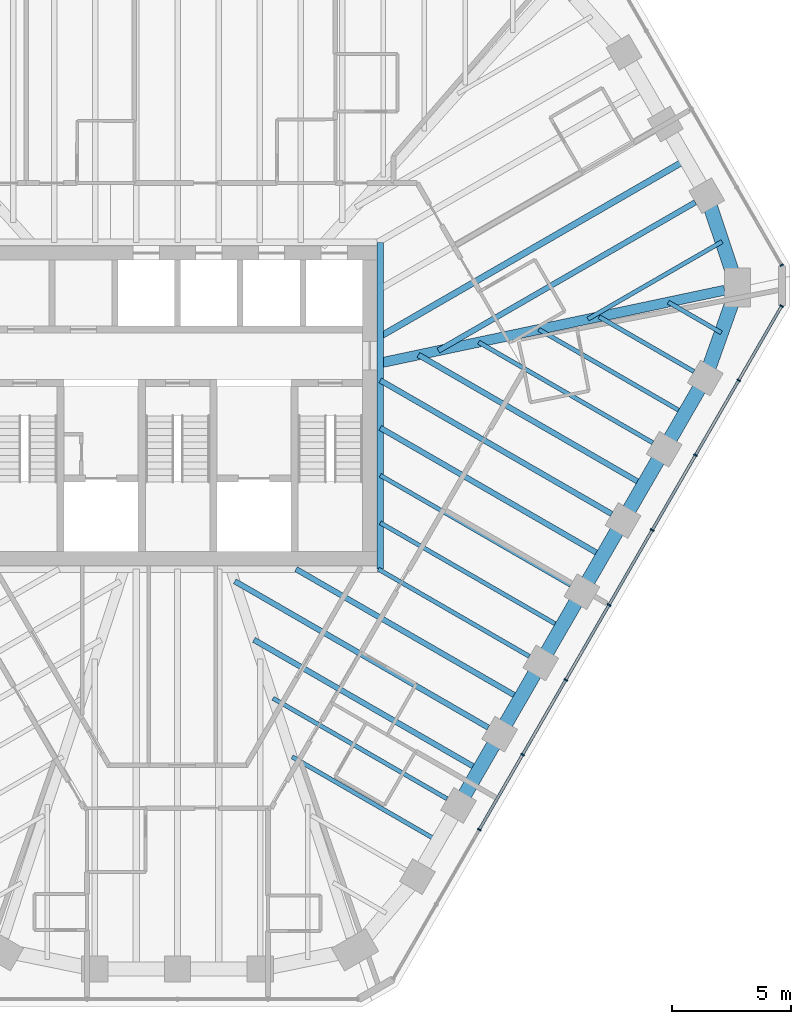
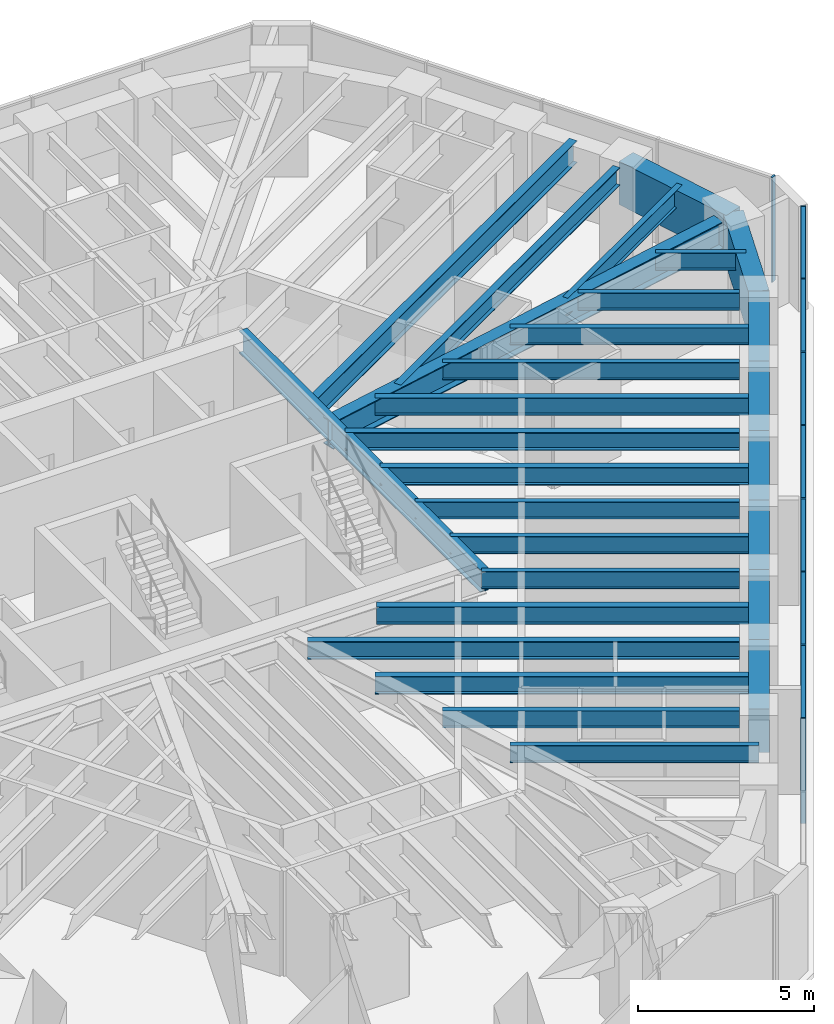
# One storey, part 5 of 14: 28 beams, 16 members, 2 elements without a shape of their own.
"""IFC4 building model written with IfcOpenShell, lengths in metres."""

from ifc_helpers import new_model, si_unit, direction, frame, origin, origin_2d, place, context, subcontext, project, spatial, rectangle, i_section, extrude, material, material_profile, profile_set, type_object, element, aggregate, save


model = new_model("IFC4")

# Units and contexts
model_context = context("Model", 3, precision=1e-05, world=origin(), true_north=direction((0.0, 1.0)))
body_context = subcontext(model_context, "Body", "Model", "MODEL_VIEW")
ifc_project = project(units=[si_unit("LENGTHUNIT", "METRE"), si_unit("AREAUNIT", "SQUARE_METRE"), si_unit("VOLUMEUNIT", "CUBIC_METRE"), si_unit("PLANEANGLEUNIT", "RADIAN"), si_unit("MASSUNIT", "GRAM", prefix="KILO")], contexts=[model_context])

# Site, building, storey
site_placement = place(None, origin())
site = spatial("IfcSite", under=ifc_project, at=site_placement, CompositionType="ELEMENT")
building_placement = place(site_placement, origin())
building = spatial("IfcBuilding", under=site, at=building_placement, Name="Sandreach Pilgrim Tower", CompositionType="ELEMENT")
storey_placement = place(building_placement, frame((0.0, 0.0, 264.60009765625)))
storey = spatial("IfcBuildingStorey", under=building, at=storey_placement, Name="L66", CompositionType="ELEMENT", Elevation=264.60009765625)

# Curtain wall, member
ifc_material_1 = material(Name="Aluminium framed curtain wall", Category="aluminium")
curtain_wall_type = type_object("IfcCurtainWallType", Name="Suite tower curtain wall", PredefinedType="NOTDEFINED", material=ifc_material_1)
curtain_wall_1_placement = place(storey_placement, origin())
curtain_wall_1 = element("IfcCurtainWall", 1, at=curtain_wall_1_placement, inside=storey, type_object=curtain_wall_type, Name="CW-4 L66 NE", PredefinedType="NOTDEFINED")
ifc_material_2 = material(Name="Aluminium extrusion", Category="aluminium")
ifc_material_profile_1 = material_profile(ifc_material_2, rectangle(XDim=0.06005859375, YDim=0.159912109375, at=origin_2d()), Name="CW-4M 60X160")
ifc_profile_set_1 = profile_set([ifc_material_profile_1], Name="Aluminium extrusion")
member_type_1 = type_object("IfcMemberType", Name="CW-4 mullion", PredefinedType="MULLION", material=ifc_profile_set_1)
member_1_placement = place(storey_placement, frame((25.304443359375, 5.8876953125, 0.0), z_axis=(0.0, 0.0, 1.0), x_axis=(0.5, -0.866025403784, 0.0)))
member_1 = element("IfcMember", 2, at=member_1_placement, type_object=member_type_1, Name="CW-4 mullion 5", PredefinedType="MULLION", context=body_context, shape_type="SweptSolid", body=[
    extrude(rectangle(XDim=0.06005859375, YDim=0.159912109375, at=origin_2d()), origin(), (0.0, 0.0, 1.0), 3.639892578125),
])
aggregate(curtain_wall_1, [member_1])

# Curtain wall, members
curtain_wall_2_placement = place(storey_placement, origin())
curtain_wall_2 = element("IfcCurtainWall", 3, at=curtain_wall_2_placement, inside=storey, type_object=curtain_wall_type, Name="CW-4 L66 SE", PredefinedType="NOTDEFINED")
member_2_placement = place(storey_placement, frame((25.304443359375, 4.175537109375, 0.0), z_axis=(0.0, 0.0, 1.0), x_axis=(-0.5, -0.866025403784, 0.0)))
member_2 = element("IfcMember", 4, at=member_2_placement, type_object=member_type_1, Name="CW-4 mullion 1", PredefinedType="MULLION", context=body_context, shape_type="SweptSolid", body=[
    extrude(rectangle(XDim=0.06005859375, YDim=0.159912109375, at=origin_2d()), origin(), (0.0, 0.0, 1.0), 3.639892578125),
])
member_3_placement = place(storey_placement, frame((23.508544921875, 1.06494140625, 0.0), z_axis=(0.0, 0.0, 1.0), x_axis=(-0.5, -0.866025403784, 0.0)))
member_3 = element("IfcMember", 5, at=member_3_placement, type_object=member_type_1, Name="CW-4 mullion 2", PredefinedType="MULLION", context=body_context, shape_type="SweptSolid", body=[
    extrude(rectangle(XDim=0.06005859375, YDim=0.159912109375, at=origin_2d()), origin(), (0.0, 0.0, 1.0), 3.639892578125),
])
member_4_placement = place(storey_placement, frame((21.697509765625, -2.071533203125, 0.0), z_axis=(0.0, 0.0, 1.0), x_axis=(-0.5, -0.866025403784, 0.0)))
member_4 = element("IfcMember", 6, at=member_4_placement, type_object=member_type_1, Name="CW-4 mullion 3", PredefinedType="MULLION", context=body_context, shape_type="SweptSolid", body=[
    extrude(rectangle(XDim=0.06005859375, YDim=0.159912109375, at=origin_2d()), origin(), (0.0, 0.0, 1.0), 3.639892578125),
])
member_5_placement = place(storey_placement, frame((19.886474609375, -5.208251953125, 0.0), z_axis=(0.0, 0.0, 1.0), x_axis=(-0.5, -0.866025403784, 0.0)))
member_5 = element("IfcMember", 7, at=member_5_placement, type_object=member_type_1, Name="CW-4 mullion 4", PredefinedType="MULLION", context=body_context, shape_type="SweptSolid", body=[
    extrude(rectangle(XDim=0.06005859375, YDim=0.159912109375, at=origin_2d()), origin(), (0.0, 0.0, 1.0), 3.639892578125),
])
member_6_placement = place(storey_placement, frame((18.07568359375, -8.344970703125, 0.0), z_axis=(0.0, 0.0, 1.0), x_axis=(-0.5, -0.866025403784, 0.0)))
member_6 = element("IfcMember", 8, at=member_6_placement, type_object=member_type_1, Name="CW-4 mullion 5", PredefinedType="MULLION", context=body_context, shape_type="SweptSolid", body=[
    extrude(rectangle(XDim=0.06005859375, YDim=0.159912109375, at=origin_2d()), origin(), (0.0, 0.0, 1.0), 3.639892578125),
])
member_7_placement = place(storey_placement, frame((16.2646484375, -11.4814453125, 0.0), z_axis=(0.0, 0.0, 1.0), x_axis=(-0.5, -0.866025403784, 0.0)))
member_7 = element("IfcMember", 9, at=member_7_placement, type_object=member_type_1, Name="CW-4 mullion 6", PredefinedType="MULLION", context=body_context, shape_type="SweptSolid", body=[
    extrude(rectangle(XDim=0.06005859375, YDim=0.159912109375, at=origin_2d()), origin(), (0.0, 0.0, 1.0), 3.639892578125),
])
member_8_placement = place(storey_placement, frame((14.453857421875, -14.6181640625, 0.0), z_axis=(0.0, 0.0, 1.0), x_axis=(-0.5, -0.866025403784, 0.0)))
member_8 = element("IfcMember", 10, at=member_8_placement, type_object=member_type_1, Name="CW-4 mullion 7", PredefinedType="MULLION", context=body_context, shape_type="SweptSolid", body=[
    extrude(rectangle(XDim=0.06005859375, YDim=0.159912109375, at=origin_2d()), origin(), (0.0, 0.0, 1.0), 3.639892578125),
])
member_9_placement = place(storey_placement, frame((12.642822265625, -17.7548828125, 0.0), z_axis=(0.0, 0.0, 1.0), x_axis=(-0.5, -0.866025403784, 0.0)))
member_9 = element("IfcMember", 11, at=member_9_placement, type_object=member_type_1, Name="CW-4 mullion 8", PredefinedType="MULLION", context=body_context, shape_type="SweptSolid", body=[
    extrude(rectangle(XDim=0.06005859375, YDim=0.159912109375, at=origin_2d()), origin(), (0.0, 0.0, 1.0), 3.639892578125),
])
ifc_material_3 = material(Name="Aluminium extrusion", Category="aluminium")
ifc_material_profile_2 = material_profile(ifc_material_3, rectangle(XDim=0.1201171875, YDim=0.070068359375, at=origin_2d()), Name="CW-4T 120X70")
ifc_profile_set_2 = profile_set([ifc_material_profile_2], Name="Aluminium extrusion")
member_type_2 = type_object("IfcMemberType", Name="CW-4 transom", PredefinedType="USERDEFINED", material=ifc_profile_set_2)
member_10_placement = place(storey_placement, frame((25.289306640625, 4.149658203125, 3.60498046875), z_axis=(-0.499997709859, -0.866026725994, 0.0), x_axis=(0.866026725994, -0.499997709859, 0.0)))
member_10 = element("IfcMember", 12, at=member_10_placement, type_object=member_type_2, Name="CW-4 head transom 1", ObjectType="TRANSOM", PredefinedType="USERDEFINED", context=body_context, shape_type="SweptSolid", body=[
    extrude(rectangle(XDim=0.1201171875, YDim=0.070068359375, at=origin_2d()), origin(), (0.0, 0.0, 1.0), 3.53173828125),
])
member_11_placement = place(storey_placement, frame((23.493408203125, 1.0390625, 3.60498046875), z_axis=(-0.500009219579, -0.866020080793, 0.0), x_axis=(0.866020080793, -0.500009219579, 0.0)))
member_11 = element("IfcMember", 13, at=member_11_placement, type_object=member_type_2, Name="CW-4 head transom 2", ObjectType="TRANSOM", PredefinedType="USERDEFINED", context=body_context, shape_type="SweptSolid", body=[
    extrude(rectangle(XDim=0.1201171875, YDim=0.070068359375, at=origin_2d()), origin(), (0.0, 0.0, 1.0), 3.56201171875),
])
member_12_placement = place(storey_placement, frame((21.6826171875, -2.09765625, 3.60498046875), z_axis=(-0.500009219579, -0.866020080793, 0.0), x_axis=(0.866020080793, -0.500009219579, 0.0)))
member_12 = element("IfcMember", 14, at=member_12_placement, type_object=member_type_2, Name="CW-4 head transom 3", ObjectType="TRANSOM", PredefinedType="USERDEFINED", context=body_context, shape_type="SweptSolid", body=[
    extrude(rectangle(XDim=0.1201171875, YDim=0.070068359375, at=origin_2d()), origin(), (0.0, 0.0, 1.0), 3.56201171875),
])
member_13_placement = place(storey_placement, frame((19.87158203125, -5.234375, 3.60498046875), z_axis=(-0.500038900691, -0.866002943295, 0.0), x_axis=(0.866002943295, -0.500038900691, 0.0)))
member_13 = element("IfcMember", 15, at=member_13_placement, type_object=member_type_2, Name="CW-4 head transom 4", ObjectType="TRANSOM", PredefinedType="USERDEFINED", context=body_context, shape_type="SweptSolid", body=[
    extrude(rectangle(XDim=0.1201171875, YDim=0.070068359375, at=origin_2d()), origin(), (0.0, 0.0, 1.0), 3.561767578125),
])
member_14_placement = place(storey_placement, frame((18.060546875, -8.370849609375, 3.60498046875), z_axis=(-0.499957811549, -0.866049759928, 0.0), x_axis=(0.866049759928, -0.499957811549, 0.0)))
member_14 = element("IfcMember", 16, at=member_14_placement, type_object=member_type_2, Name="CW-4 head transom 5", ObjectType="TRANSOM", PredefinedType="USERDEFINED", context=body_context, shape_type="SweptSolid", body=[
    extrude(rectangle(XDim=0.1201171875, YDim=0.070068359375, at=origin_2d()), origin(), (0.0, 0.0, 1.0), 3.561767578125),
])
member_15_placement = place(storey_placement, frame((16.249755859375, -11.507568359375, 3.60498046875), z_axis=(-0.500009219579, -0.866020080793, 0.0), x_axis=(0.866020080793, -0.500009219579, 0.0)))
member_15 = element("IfcMember", 17, at=member_15_placement, type_object=member_type_2, Name="CW-4 head transom 6", ObjectType="TRANSOM", PredefinedType="USERDEFINED", context=body_context, shape_type="SweptSolid", body=[
    extrude(rectangle(XDim=0.1201171875, YDim=0.070068359375, at=origin_2d()), origin(), (0.0, 0.0, 1.0), 3.56201171875),
])
member_16_placement = place(storey_placement, frame((14.438720703125, -14.64404296875, 3.60498046875), z_axis=(-0.499957811549, -0.866049759928, 0.0), x_axis=(0.866049759928, -0.499957811549, 0.0)))
member_16 = element("IfcMember", 18, at=member_16_placement, type_object=member_type_2, Name="CW-4 head transom 7", ObjectType="TRANSOM", PredefinedType="USERDEFINED", context=body_context, shape_type="SweptSolid", body=[
    extrude(rectangle(XDim=0.1201171875, YDim=0.070068359375, at=origin_2d()), origin(), (0.0, 0.0, 1.0), 3.561767578125),
])
aggregate(curtain_wall_2, [member_2, member_3, member_4, member_5, member_6, member_7, member_8, member_9, member_10, member_11, member_12, member_13, member_14, member_15, member_16])

# Beams
ifc_material_4 = material(Name="Steel ASTM A992 Grade 50", Category="steel")
ifc_material_profile_3 = material_profile(ifc_material_4, i_section(OverallWidth=0.2666015625, OverallDepth=0.77978515625, WebThickness=0.0166015625, FlangeThickness=0.030029296875, at=origin_2d()), Name="W30X148")
ifc_profile_set_3 = profile_set([ifc_material_profile_3], Name="Steel ASTM A992 Grade 50")
beam_type_1 = type_object("IfcBeamType", Name="Core edge beam W30X148", PredefinedType="BEAM", material=ifc_profile_set_3)
beam_1_placement = place(storey_placement, frame((8.493408203125, 6.84326171875, 3.25), z_axis=(0.0, -1.0, 0.0), x_axis=(1.0, 0.0, 0.0)))
element("IfcBeam", 19, at=beam_1_placement, inside=storey, type_object=beam_type_1, Name="BM L66 CEE", PredefinedType="BEAM", context=body_context, shape_type="SweptSolid", body=[
    extrude(i_section(OverallWidth=0.2666015625, OverallDepth=0.77978515625, WebThickness=0.0166015625, FlangeThickness=0.030029296875, at=origin_2d()), origin(), (0.0, 0.0, 1.0), 13.6865234375),
])
ifc_material_5 = material(Name="Steel ASTM A992 Grade 50", Category="steel")
ifc_material_profile_4 = material_profile(ifc_material_5, i_section(OverallWidth=0.419189453125, OverallDepth=0.927001953125, WebThickness=0.019287109375, FlangeThickness=0.031982421875, at=origin_2d()), Name="W36X231")
ifc_profile_set_4 = profile_set([ifc_material_profile_4], Name="Steel ASTM A992 Grade 50")
beam_type_2 = type_object("IfcBeamType", Name="Corner girder W36X231", PredefinedType="BEAM", material=ifc_profile_set_4)
beam_2_placement = place(storey_placement, frame((22.917724609375, 4.838623046875, 3.17626953125), z_axis=(-0.978430270369, -0.206577360876, 0.0), x_axis=(0.206577360876, -0.978430270369, 0.0)))
element("IfcBeam", 20, at=beam_2_placement, inside=storey, type_object=beam_type_2, Name="BM L66 CG13", PredefinedType="BEAM", context=body_context, shape_type="SweptSolid", body=[
    extrude(i_section(OverallWidth=0.419189453125, OverallDepth=0.927001953125, WebThickness=0.019287109375, FlangeThickness=0.031982421875, at=origin_2d()), origin(), (0.0, 0.0, 1.0), 14.888671875),
])
ifc_material_6 = material(Name="Steel ASTM A992 Grade 50", Category="steel")
ifc_material_profile_5 = material_profile(ifc_material_6, i_section(OverallWidth=0.1787109375, OverallDepth=0.60205078125, WebThickness=0.010986328125, FlangeThickness=0.014892578125, at=origin_2d()), Name="W24X62")
ifc_profile_set_5 = profile_set([ifc_material_profile_5], Name="Steel ASTM A992 Grade 50")
beam_type_3 = type_object("IfcBeamType", Name="Floor beam W24X62", PredefinedType="BEAM", material=ifc_profile_set_5)
beam_3_placement = place(storey_placement, frame((21.631591796875, 1.433837890625, 3.3388671875), z_axis=(-0.866037621819, 0.499978837146, 0.0), x_axis=(-0.499978837146, -0.866037621819, 0.0)))
element("IfcBeam", 21, at=beam_3_placement, inside=storey, type_object=beam_type_3, Name="BM L66 F14", PredefinedType="BEAM", context=body_context, shape_type="SweptSolid", body=[
    extrude(i_section(OverallWidth=0.1787109375, OverallDepth=0.60205078125, WebThickness=0.010986328125, FlangeThickness=0.014892578125, at=origin_2d()), origin(), (0.0, 0.0, 1.0), 4.588623046875),
])
beam_4_placement = place(storey_placement, frame((19.908935546875, -1.549560546875, 3.3388671875), z_axis=(-0.866026819143, 0.499997548519, 0.0), x_axis=(-0.499997548519, -0.866026819143, 0.0)))
element("IfcBeam", 22, at=beam_4_placement, inside=storey, type_object=beam_type_3, Name="BM L66 F15", PredefinedType="BEAM", context=body_context, shape_type="SweptSolid", body=[
    extrude(i_section(OverallWidth=0.1787109375, OverallDepth=0.60205078125, WebThickness=0.010986328125, FlangeThickness=0.014892578125, at=origin_2d()), origin(), (0.0, 0.0, 1.0), 8.4248046875),
])
beam_5_placement = place(storey_placement, frame((16.4638671875, -7.516357421875, 3.3388671875), z_axis=(-0.866022580836, 0.500004889459, 0.0), x_axis=(-0.500004889459, -0.866022580836, 0.0)))
element("IfcBeam", 23, at=beam_5_placement, inside=storey, type_object=beam_type_3, Name="BM L66 F17", PredefinedType="BEAM", context=body_context, shape_type="SweptSolid", body=[
    extrude(i_section(OverallWidth=0.1787109375, OverallDepth=0.60205078125, WebThickness=0.010986328125, FlangeThickness=0.014892578125, at=origin_2d()), origin(), (0.0, 0.0, 1.0), 9.20361328125),
])
beam_6_placement = place(storey_placement, frame((14.741455078125, -10.5, 3.3388671875), z_axis=(-0.866019920622, 0.500009496996, 0.0), x_axis=(-0.500009496996, -0.866019920622, 0.0)))
element("IfcBeam", 24, at=beam_6_placement, inside=storey, type_object=beam_type_3, Name="BM L66 F18", PredefinedType="BEAM", context=body_context, shape_type="SweptSolid", body=[
    extrude(i_section(OverallWidth=0.1787109375, OverallDepth=0.60205078125, WebThickness=0.010986328125, FlangeThickness=0.014892578125, at=origin_2d()), origin(), (0.0, 0.0, 1.0), 7.313232421875),
])
beam_7_placement = place(storey_placement, frame((11.29638671875, -16.466796875, 3.3388671875), z_axis=(-0.866026819143, 0.499997548519, 0.0), x_axis=(-0.499997548519, -0.866026819143, 0.0)))
element("IfcBeam", 25, at=beam_7_placement, inside=storey, type_object=beam_type_3, Name="BM L66 F20", PredefinedType="BEAM", context=body_context, shape_type="SweptSolid", body=[
    extrude(i_section(OverallWidth=0.1787109375, OverallDepth=0.60205078125, WebThickness=0.010986328125, FlangeThickness=0.014892578125, at=origin_2d()), origin(), (0.0, 0.0, 1.0), 8.4248046875),
])
beam_8_placement = place(storey_placement, frame((22.8125, 6.875, 3.3388671875), z_axis=(-0.866023980233, -0.500002465655, 0.0), x_axis=(0.500002465655, -0.866023980233, 0.0)))
element("IfcBeam", 26, at=beam_8_placement, inside=storey, type_object=beam_type_3, Name="BM L66 FM12", PredefinedType="BEAM", context=body_context, shape_type="SweptSolid", body=[
    extrude(i_section(OverallWidth=0.1787109375, OverallDepth=0.60205078125, WebThickness=0.010986328125, FlangeThickness=0.014892578125, at=origin_2d()), origin(), (0.0, 0.0, 1.0), 6.49072265625),
])
beam_9_placement = place(storey_placement, frame((22.78173828125, 3.0556640625, 3.3388671875), z_axis=(-0.8660004255, 0.500043261163, 0.0), x_axis=(-0.500043261163, -0.8660004255, 0.0)))
element("IfcBeam", 27, at=beam_9_placement, inside=storey, type_object=beam_type_3, Name="BM L66 FM13", PredefinedType="BEAM", context=body_context, shape_type="SweptSolid", body=[
    extrude(i_section(OverallWidth=0.1787109375, OverallDepth=0.60205078125, WebThickness=0.010986328125, FlangeThickness=0.014892578125, at=origin_2d()), origin(), (0.0, 0.0, 1.0), 2.569091796875),
])
beam_10_placement = place(storey_placement, frame((21.24658203125, -0.332763671875, 3.3388671875), z_axis=(-0.866028878405, 0.499993981732, 0.0), x_axis=(-0.499993981732, -0.866028878405, 0.0)))
element("IfcBeam", 28, at=beam_10_placement, inside=storey, type_object=beam_type_3, Name="BM L66 FM14", PredefinedType="BEAM", context=body_context, shape_type="SweptSolid", body=[
    extrude(i_section(OverallWidth=0.1787109375, OverallDepth=0.60205078125, WebThickness=0.010986328125, FlangeThickness=0.014892578125, at=origin_2d()), origin(), (0.0, 0.0, 1.0), 7.056640625),
])
beam_11_placement = place(storey_placement, frame((16.0791015625, -9.283203125, 3.3388671875), z_axis=(-0.866023595995, 0.500003131169, 0.0), x_axis=(-0.500003131169, -0.866023595995, 0.0)))
element("IfcBeam", 29, at=beam_11_placement, inside=storey, type_object=beam_type_3, Name="BM L66 FM17", PredefinedType="BEAM", context=body_context, shape_type="SweptSolid", body=[
    extrude(i_section(OverallWidth=0.1787109375, OverallDepth=0.60205078125, WebThickness=0.010986328125, FlangeThickness=0.014892578125, at=origin_2d()), origin(), (0.0, 0.0, 1.0), 8.75927734375),
])
beam_12_placement = place(storey_placement, frame((10.911376953125, -18.233642578125, 3.3388671875), z_axis=(-0.866020229007, 0.50000896287, 0.0), x_axis=(-0.50000896287, -0.866020229007, 0.0)))
element("IfcBeam", 30, at=beam_12_placement, inside=storey, type_object=beam_type_3, Name="BM L66 FM20", PredefinedType="BEAM", context=body_context, shape_type="SweptSolid", body=[
    extrude(i_section(OverallWidth=0.1787109375, OverallDepth=0.60205078125, WebThickness=0.010986328125, FlangeThickness=0.014892578125, at=origin_2d()), origin(), (0.0, 0.0, 1.0), 7.056396484375),
])
ifc_material_7 = material(Name="Steel ASTM A992 Grade 50", Category="steel")
ifc_material_profile_6 = material_profile(ifc_material_7, i_section(OverallWidth=0.23046875, OverallDepth=0.6171875, WebThickness=0.01318359375, FlangeThickness=0.022216796875, at=origin_2d()), Name="W24X94")
ifc_profile_set_6 = profile_set([ifc_material_profile_6], Name="Steel ASTM A992 Grade 50")
beam_type_4 = type_object("IfcBeamType", Name="Floor beam W24X94", PredefinedType="BEAM", material=ifc_profile_set_6)
beam_13_placement = place(storey_placement, frame((21.69287109375, 8.522705078125, 3.331298828125), z_axis=(-0.866028931402, -0.499993889937, 0.0), x_axis=(0.499993889937, -0.866028931402, 0.0)))
element("IfcBeam", 31, at=beam_13_placement, inside=storey, type_object=beam_type_4, Name="BM L66 F12", PredefinedType="BEAM", context=body_context, shape_type="SweptSolid", body=[
    extrude(i_section(OverallWidth=0.23046875, OverallDepth=0.6171875, WebThickness=0.01318359375, FlangeThickness=0.022216796875, at=origin_2d()), origin(), (0.0, 0.0, 1.0), 12.431396484375),
])
beam_14_placement = place(storey_placement, frame((18.1865234375, -4.532958984375, 3.331298828125), z_axis=(-0.866030482771, 0.499991202833, 0.0), x_axis=(-0.499991202833, -0.866030482771, 0.0)))
element("IfcBeam", 32, at=beam_14_placement, inside=storey, type_object=beam_type_4, Name="BM L66 F16", PredefinedType="BEAM", context=body_context, shape_type="SweptSolid", body=[
    extrude(i_section(OverallWidth=0.23046875, OverallDepth=0.6171875, WebThickness=0.01318359375, FlangeThickness=0.022216796875, at=origin_2d()), origin(), (0.0, 0.0, 1.0), 11.192626953125),
])
beam_15_placement = place(storey_placement, frame((13.018798828125, -13.4833984375, 3.331298828125), z_axis=(-0.866019132277, 0.500010862412, 0.0), x_axis=(-0.500010862412, -0.866019132277, 0.0)))
element("IfcBeam", 33, at=beam_15_placement, inside=storey, type_object=beam_type_4, Name="BM L66 F19", PredefinedType="BEAM", context=body_context, shape_type="SweptSolid", body=[
    extrude(i_section(OverallWidth=0.23046875, OverallDepth=0.6171875, WebThickness=0.01318359375, FlangeThickness=0.022216796875, at=origin_2d()), origin(), (0.0, 0.0, 1.0), 12.261474609375),
])
beam_16_placement = place(storey_placement, frame((19.52392578125, -3.316162109375, 3.331298828125), z_axis=(-0.866029205616, 0.499993414976, 0.0), x_axis=(-0.499993414976, -0.866029205616, 0.0)))
element("IfcBeam", 34, at=beam_16_placement, inside=storey, type_object=beam_type_4, Name="BM L66 FM15", PredefinedType="BEAM", context=body_context, shape_type="SweptSolid", body=[
    extrude(i_section(OverallWidth=0.23046875, OverallDepth=0.6171875, WebThickness=0.01318359375, FlangeThickness=0.022216796875, at=origin_2d()), origin(), (0.0, 0.0, 1.0), 10.893310546875),
])
beam_17_placement = place(storey_placement, frame((17.801513671875, -6.2998046875, 3.331298828125), z_axis=(-0.866025958161, 0.49999903979, 0.0), x_axis=(-0.49999903979, -0.866025958161, 0.0)))
element("IfcBeam", 35, at=beam_17_placement, inside=storey, type_object=beam_type_4, Name="BM L66 FM16", PredefinedType="BEAM", context=body_context, shape_type="SweptSolid", body=[
    extrude(i_section(OverallWidth=0.23046875, OverallDepth=0.6171875, WebThickness=0.01318359375, FlangeThickness=0.022216796875, at=origin_2d()), origin(), (0.0, 0.0, 1.0), 10.748046875),
])
beam_18_placement = place(storey_placement, frame((14.3564453125, -12.2666015625, 3.331298828125), z_axis=(-0.866026660645, 0.499997823047, 0.0), x_axis=(-0.499997823047, -0.866026660645, 0.0)))
element("IfcBeam", 36, at=beam_18_placement, inside=storey, type_object=beam_type_4, Name="BM L66 FM18", PredefinedType="BEAM", context=body_context, shape_type="SweptSolid", body=[
    extrude(i_section(OverallWidth=0.23046875, OverallDepth=0.6171875, WebThickness=0.01318359375, FlangeThickness=0.022216796875, at=origin_2d()), origin(), (0.0, 0.0, 1.0), 10.8466796875),
])
beam_19_placement = place(storey_placement, frame((12.634033203125, -15.250244140625, 3.331298828125), z_axis=(-0.866019500887, 0.500010223979, 0.0), x_axis=(-0.500010223979, -0.866019500887, 0.0)))
element("IfcBeam", 37, at=beam_19_placement, inside=storey, type_object=beam_type_4, Name="BM L66 FM19", PredefinedType="BEAM", context=body_context, shape_type="SweptSolid", body=[
    extrude(i_section(OverallWidth=0.23046875, OverallDepth=0.6171875, WebThickness=0.01318359375, FlangeThickness=0.022216796875, at=origin_2d()), origin(), (0.0, 0.0, 1.0), 10.893310546875),
])
ifc_material_8 = material(Name="Steel ASTM A992 Grade 50", Category="steel")
ifc_material_profile_7 = material_profile(ifc_material_8, i_section(OverallWidth=0.2666015625, OverallDepth=0.761962890625, WebThickness=0.014404296875, FlangeThickness=0.021484375, at=origin_2d()), Name="W30X116")
ifc_profile_set_7 = profile_set([ifc_material_profile_7], Name="Steel ASTM A992 Grade 50")
beam_type_5 = type_object("IfcBeamType", Name="Floor beam W30X116", PredefinedType="BEAM", material=ifc_profile_set_7)
beam_20_placement = place(storey_placement, frame((21.302978515625, 10.29833984375, 3.2587890625), z_axis=(-0.866028362181, -0.499994875871, 0.0), x_axis=(0.499994875871, -0.866028362181, 0.0)))
element("IfcBeam", 38, at=beam_20_placement, inside=storey, type_object=beam_type_5, Name="BM L66 FM11", PredefinedType="BEAM", context=body_context, shape_type="SweptSolid", body=[
    extrude(i_section(OverallWidth=0.2666015625, OverallDepth=0.761962890625, WebThickness=0.014404296875, FlangeThickness=0.021484375, at=origin_2d()), origin(), (0.0, 0.0, 1.0), 14.791259765625),
])
ifc_material_9 = material(Name="Concrete 10000 psi", Category="concrete")
ifc_material_profile_8 = material_profile(ifc_material_9, rectangle(XDim=0.60009765625, YDim=1.5, at=origin_2d()), Name="RC600X1500")
ifc_profile_set_8 = profile_set([ifc_material_profile_8], Name="Concrete 10000 psi")
beam_type_6 = type_object("IfcBeamType", Name="Spandrel beam RC600X1500", PredefinedType="SPANDREL", material=ifc_profile_set_8)
beam_21_placement = place(storey_placement, frame((22.169189453125, 8.7978515625, 2.889892578125), z_axis=(0.317293238289, -0.948327475578, 0.0), x_axis=(0.948327475578, 0.317293238289, 0.0)))
element("IfcBeam", 39, at=beam_21_placement, inside=storey, type_object=beam_type_6, Name="BM L66 SP12", PredefinedType="SPANDREL", context=body_context, shape_type="SweptSolid", body=[
    extrude(rectangle(XDim=0.60009765625, YDim=1.5, at=origin_2d()), origin(), (0.0, 0.0, 1.0), 4.054931640625),
])
beam_22_placement = place(storey_placement, frame((23.455810546875, 4.952392578125, 2.889892578125), z_axis=(-0.33481464839, -0.94228400773, 0.0), x_axis=(0.94228400773, -0.33481464839, 0.0)))
element("IfcBeam", 40, at=beam_22_placement, inside=storey, type_object=beam_type_6, Name="BM L66 SP13", PredefinedType="SPANDREL", context=body_context, shape_type="SweptSolid", body=[
    extrude(rectangle(XDim=0.60009765625, YDim=1.5, at=origin_2d()), origin(), (0.0, 0.0, 1.0), 4.02587890625),
])
for number, where, z_axis, x_axis, name in (
    (41, (22.10791015625, 1.158935546875, 2.889892578125), (-0.500041441558, -0.866001476168, 0.0), (0.866001476168, -0.500041441558, 0.0), "BM L66 SP14"),
    (42, (20.38525390625, -1.824462890625, 2.889892578125), (-0.499957605418, -0.866049878924, 0.0), (0.866049878924, -0.499957605418, 0.0), "BM L66 SP15"),
    (43, (18.662841796875, -4.80810546875, 2.889892578125), (-0.500041441558, -0.866001476168, 0.0), (0.866001476168, -0.500041441558, 0.0), "BM L66 SP16"),
):
    element("IfcBeam", number, at=place(storey_placement, frame(where, z_axis=z_axis, x_axis=x_axis)), inside=storey, type_object=beam_type_6, Name=name, PredefinedType="SPANDREL", context=body_context, shape_type="SweptSolid", body=[
        extrude(rectangle(XDim=0.60009765625, YDim=1.5, at=origin_2d()), origin(), (0.0, 0.0, 1.0), 3.445068359375),
    ])
beam_23_placement = place(storey_placement, frame((16.940185546875, -7.79150390625, 2.889892578125), z_axis=(-0.499988291006, -0.866032163869, 0.0), x_axis=(0.866032163869, -0.499988291006, 0.0)))
element("IfcBeam", 44, at=beam_23_placement, inside=storey, type_object=beam_type_6, Name="BM L66 SP17", PredefinedType="SPANDREL", context=body_context, shape_type="SweptSolid", body=[
    extrude(rectangle(XDim=0.60009765625, YDim=1.5, at=origin_2d()), origin(), (0.0, 0.0, 1.0), 3.44482421875),
])
beam_24_placement = place(storey_placement, frame((15.2177734375, -10.77490234375, 2.889892578125), z_axis=(-0.500010754882, -0.866019194361, 0.0), x_axis=(0.866019194361, -0.500010754882, 0.0)))
element("IfcBeam", 45, at=beam_24_placement, inside=storey, type_object=beam_type_6, Name="BM L66 SP18", PredefinedType="SPANDREL", context=body_context, shape_type="SweptSolid", body=[
    extrude(rectangle(XDim=0.60009765625, YDim=1.5, at=origin_2d()), origin(), (0.0, 0.0, 1.0), 3.4453125),
])
beam_25_placement = place(storey_placement, frame((13.4951171875, -13.758544921875, 2.889892578125), z_axis=(-0.499988291006, -0.866032163869, 0.0), x_axis=(0.866032163869, -0.499988291006, 0.0)))
element("IfcBeam", 46, at=beam_25_placement, inside=storey, type_object=beam_type_6, Name="BM L66 SP19", PredefinedType="SPANDREL", context=body_context, shape_type="SweptSolid", body=[
    extrude(rectangle(XDim=0.60009765625, YDim=1.5, at=origin_2d()), origin(), (0.0, 0.0, 1.0), 3.44482421875),
])

save(model, "model.ifc")
